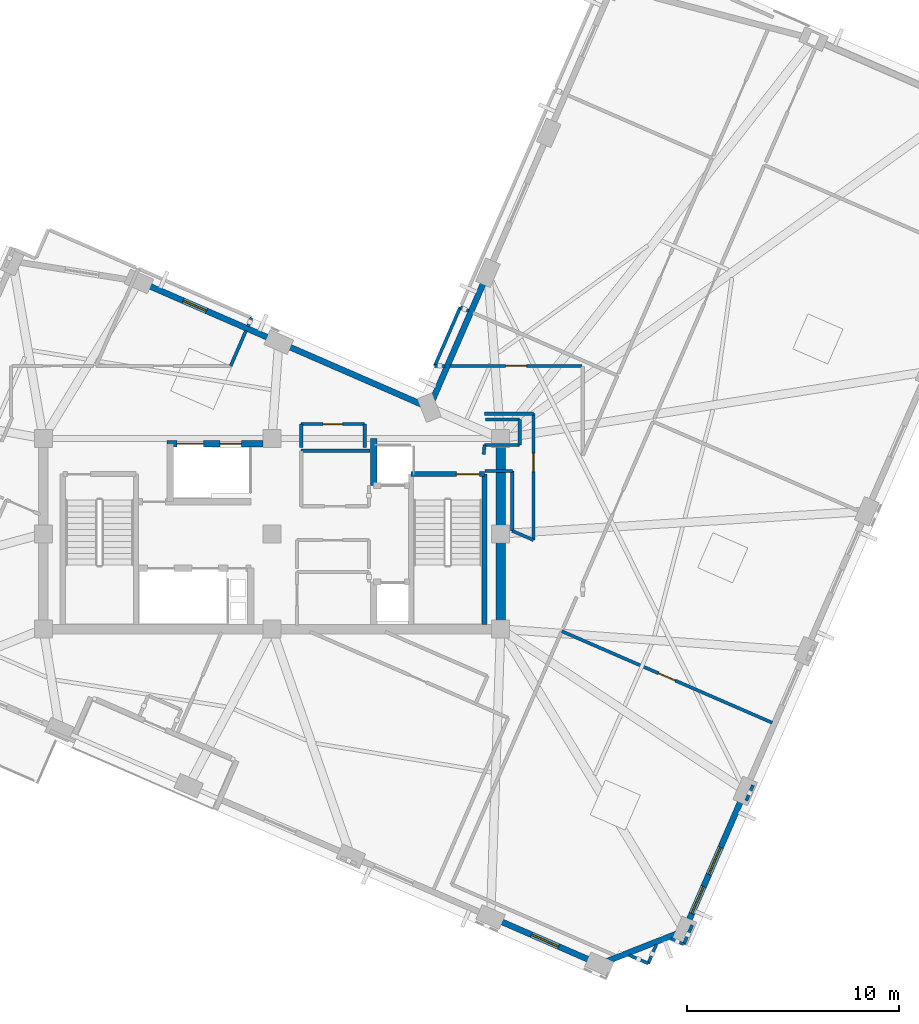
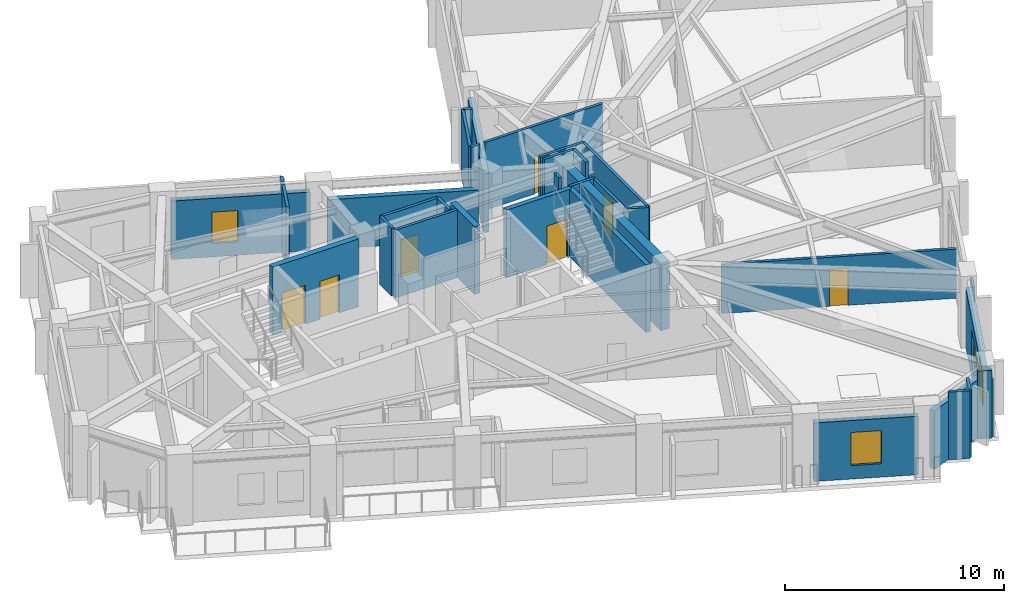
# One storey, part 6 of 12: 36 walls, 7 doors, 4 windows, 11 openings.
"""IFC4 building model written with IfcOpenShell, lengths in metres."""

from ifc_helpers import new_model, si_unit, direction, frame, frame_2d, origin, place, context, subcontext, project, spatial, rectangle, extrude, material, layer, layer_set, type_object, element, fill, save


model = new_model("IFC4")

# Units and contexts
model_context = context("Model", 3, precision=1e-05, world=origin(), true_north=direction((0.0, 1.0)))
body_context = subcontext(model_context, "Body", "Model", "MODEL_VIEW")
ifc_project = project(units=[si_unit("LENGTHUNIT", "METRE"), si_unit("AREAUNIT", "SQUARE_METRE"), si_unit("VOLUMEUNIT", "CUBIC_METRE"), si_unit("PLANEANGLEUNIT", "RADIAN"), si_unit("MASSUNIT", "GRAM", prefix="KILO")], contexts=[model_context])

# Site, building, storey
site_placement = place(None, origin())
site = spatial("IfcSite", under=ifc_project, at=site_placement, CompositionType="ELEMENT")
building_placement = place(site_placement, origin())
building = spatial("IfcBuilding", under=site, at=building_placement, Name="Gaonmaruhae Medical Tower", CompositionType="ELEMENT")
storey_placement = place(building_placement, frame((0.0, 0.0, 316.60009765625)))
storey = spatial("IfcBuildingStorey", under=building, at=storey_placement, Name="L76", CompositionType="ELEMENT", Elevation=316.60009765625)

# Wall
ifc_material_1 = material(Name="Concrete C50/60", Category="concrete")
ifc_layer_1 = layer(ifc_material_1, 0.449951171875)
ifc_layer_set_1 = layer_set([ifc_layer_1], Name="Concrete C50/60")
wall_type_1 = type_object("IfcWallType", Name="CW-450 Upper Core Shear Wall", PredefinedType="SHEAR", material=ifc_layer_set_1)
wall_1_placement = place(storey_placement, frame((35.60009765625, 7.800048828125, 0.0), z_axis=(0.0, 0.0, 1.0), x_axis=(0.0, 1.0, 0.0)))
element("IfcWall", 1, at=wall_1_placement, inside=storey, type_object=wall_type_1, Name="L76 Core Shear Wall CSW-E1", PredefinedType="SHEAR", context=body_context, shape_type="SweptSolid", body=[
    extrude(rectangle(XDim=9.0, YDim=0.449951171875, at=frame_2d((4.5, 0.0))), origin(), (0.0, 0.0, 1.0), 3.77978515625),
])

# Wall, openings, windows
ifc_material_2 = material(Name="Precast concrete C45/55", Category="concrete")
ifc_layer_2 = layer(ifc_material_2, 0.280029296875)
ifc_layer_set_2 = layer_set([ifc_layer_2], Name="Precast concrete C45/55")
wall_type_2 = type_object("IfcWallType", Name="EW-280 Upper Precast Masonry-Frame Facade Wall", PredefinedType="SOLIDWALL", material=ifc_layer_set_2)
wall_2_placement = place(storey_placement, frame((46.987548828125, -0.210205078125, 0.0), z_axis=(0.0, 0.0, 1.0), x_axis=(-0.398744230651, -0.917062178112, 0.0)))
wall_2 = element("IfcWall", 2, at=wall_2_placement, inside=storey, type_object=wall_type_2, Name="L76 Precast Masonry-Frame Wall S01-S02", PredefinedType="SOLIDWALL", context=body_context, shape_type="SweptSolid", body=[
    extrude(rectangle(XDim=6.405029296875, YDim=0.280029296875, at=frame_2d((3.20263671875, 0.0))), origin(), (0.0, 0.0, 1.0), 3.244873046875),
])
opening_1_placement = place(wall_2_placement, frame((2.50244140625, 0.0, 0.75)))
opening_1 = element("IfcOpeningElement", 3, at=opening_1_placement, cuts=wall_2, Name="Opening WN-03", PredefinedType="OPENING", context=body_context, shape_type="SweptSolid", body=[
    extrude(rectangle(XDim=1.39990234375, YDim=1.85009765625, at=frame_2d((0.699951171875, 0.925048828125))), frame((0.0, 0.14990234375, 0.0), z_axis=(0.0, -1.0, 0.0), x_axis=(1.0, 0.0, 0.0)), (0.0, 0.0, 1.0), 0.300048828125),
])
opening_2_placement = place(wall_2_placement, frame((4.5185546875, 0.0, 0.75)))
opening_2 = element("IfcOpeningElement", 4, at=opening_2_placement, cuts=wall_2, Name="Opening WN-03", PredefinedType="OPENING", context=body_context, shape_type="SweptSolid", body=[
    extrude(rectangle(XDim=1.39990234375, YDim=1.85009765625, at=frame_2d((0.699951171875, 0.925048828125))), frame((0.0, 0.14990234375, 0.0), z_axis=(0.0, -1.0, 0.0), x_axis=(1.0, 0.0, 0.0)), (0.0, 0.0, 1.0), 0.300048828125),
])
ifc_material_3 = material(Name="Anodised aluminium and Low-E double glazing", Category="aluminium")
window_type_1 = type_object("IfcWindowType", Name="WN-03 Isolation Ward Punched Window 1400x1850", PartitioningType="SINGLE_PANEL", PredefinedType="WINDOW", material=ifc_material_3)
window_1_placement = place(opening_1_placement, origin())
window_1 = element("IfcWindow", 5, at=window_1_placement, inside=storey, type_object=window_type_1, Name="L76 Modular Facade Window S01", OverallHeight=1.85009765625, OverallWidth=1.39990234375, PartitioningType="SINGLE_PANEL", PredefinedType="WINDOW", context=body_context, shape_type="SweptSolid", body=[
    extrude(rectangle(XDim=1.39990234375, YDim=1.85009765625, at=frame_2d((0.699951171875, 0.925048828125))), frame((0.0, 0.030029296875, 0.0), z_axis=(0.0, -1.0, 0.0), x_axis=(1.0, 0.0, 0.0)), (0.0, 0.0, 1.0), 0.06005859375),
])
fill(opening_1, window_1)
window_2_placement = place(opening_2_placement, origin())
window_2 = element("IfcWindow", 6, at=window_2_placement, inside=storey, type_object=window_type_1, Name="L76 Modular Facade Window S01B", OverallHeight=1.85009765625, OverallWidth=1.39990234375, PartitioningType="SINGLE_PANEL", PredefinedType="WINDOW", context=body_context, shape_type="SweptSolid", body=[
    extrude(rectangle(XDim=1.39990234375, YDim=1.85009765625, at=frame_2d((0.699951171875, 0.925048828125))), frame((0.0, 0.030029296875, 0.0), z_axis=(0.0, -1.0, 0.0), x_axis=(1.0, 0.0, 0.0)), (0.0, 0.0, 1.0), 0.06005859375),
])
fill(opening_2, window_2)

# Walls
wall_3_placement = place(storey_placement, frame((32.384765625, 18.619384765625, 0.0), z_axis=(0.0, 0.0, 1.0), x_axis=(0.398753668733, 0.917058074318, 0.0)))
element("IfcWall", 7, at=wall_3_placement, inside=storey, type_object=wall_type_2, Name="L76 Precast Masonry-Frame Wall EN02-KN01", PredefinedType="SOLIDWALL", context=body_context, shape_type="SweptSolid", body=[
    extrude(rectangle(XDim=6.155029296875, YDim=0.280029296875, at=frame_2d((3.07763671875, 0.0))), origin(), (0.0, 0.0, 1.0), 3.264892578125),
])
wall_4_placement = place(storey_placement, frame((25.483642578125, 21.186767578125, 0.0), z_axis=(0.0, 0.0, 1.0), x_axis=(0.917060568388, -0.398747932794, 0.0)))
element("IfcWall", 8, at=wall_4_placement, inside=storey, type_object=wall_type_2, Name="L76 Precast Masonry-Frame Wall KN01-NE01", PredefinedType="SOLIDWALL", context=body_context, shape_type="SweptSolid", body=[
    extrude(rectangle(XDim=6.954833984375, YDim=0.280029296875, at=frame_2d((3.4775390625, 0.0))), origin(), (0.0, 0.0, 1.0), 2.764892578125),
])

# Wall, opening, window
wall_5_placement = place(storey_placement, frame((18.880859375, 24.0576171875, 0.0), z_axis=(0.0, 0.0, 1.0), x_axis=(0.917070056253, -0.398726111414, 0.0)))
wall_5 = element("IfcWall", 9, at=wall_5_placement, inside=storey, type_object=wall_type_2, Name="L76 Precast Masonry-Frame Wall NE01-NE02", PredefinedType="SOLIDWALL", context=body_context, shape_type="SweptSolid", body=[
    extrude(rectangle(XDim=6.40478515625, YDim=0.280029296875, at=frame_2d((3.202392578125, 0.0))), origin(), (0.0, 0.0, 1.0), 3.264892578125),
])
opening_3_placement = place(wall_5_placement, frame((1.878662109375, 0.0, 0.75)))
opening_3 = element("IfcOpeningElement", 10, at=opening_3_placement, cuts=wall_5, Name="Opening WN-05", PredefinedType="OPENING", context=body_context, shape_type="SweptSolid", body=[
    extrude(rectangle(XDim=1.199951171875, YDim=1.75, at=frame_2d((0.60009765625, 0.875))), frame((0.0, 0.14990234375, 0.0), z_axis=(0.0, -1.0, 0.0), x_axis=(1.0, 0.0, 0.0)), (0.0, 0.0, 1.0), 0.300048828125),
])
window_type_2 = type_object("IfcWindowType", Name="WN-05 Support & Staff Punched Window 1200x1750", PartitioningType="SINGLE_PANEL", PredefinedType="WINDOW", material=ifc_material_3)
window_3_placement = place(opening_3_placement, origin())
window_3 = element("IfcWindow", 11, at=window_3_placement, inside=storey, type_object=window_type_2, Name="L76 Modular Facade Window NE01", OverallHeight=1.75, OverallWidth=1.199951171875, PartitioningType="SINGLE_PANEL", PredefinedType="WINDOW", context=body_context, shape_type="SweptSolid", body=[
    extrude(rectangle(XDim=1.199951171875, YDim=1.75, at=frame_2d((0.60009765625, 0.875))), frame((0.0, 0.030029296875, 0.0), z_axis=(0.0, -1.0, 0.0), x_axis=(1.0, 0.0, 0.0)), (0.0, 0.0, 1.0), 0.06005859375),
])
fill(opening_3, window_3)

wall_6_placement = place(storey_placement, frame((39.897216796875, -7.870849609375, 0.0), z_axis=(0.0, 0.0, 1.0), x_axis=(-0.917050667534, 0.398770702505, 0.0)))
wall_6 = element("IfcWall", 12, at=wall_6_placement, inside=storey, type_object=wall_type_2, Name="L76 Precast Masonry-Frame Wall W05-W06", PredefinedType="SOLIDWALL", context=body_context, shape_type="SweptSolid", body=[
    extrude(rectangle(XDim=4.8046875, YDim=0.280029296875, at=frame_2d((2.40234375, 0.0))), origin(), (0.0, 0.0, 1.0), 3.264892578125),
])
opening_4_placement = place(wall_6_placement, frame((1.702392578125, 0.0, 0.75)))
opening_4 = element("IfcOpeningElement", 13, at=opening_4_placement, cuts=wall_6, Name="Opening WN-03", PredefinedType="OPENING", context=body_context, shape_type="SweptSolid", body=[
    extrude(rectangle(XDim=1.39990234375, YDim=1.85009765625, at=frame_2d((0.699951171875, 0.925048828125))), frame((0.0, 0.14990234375, 0.0), z_axis=(0.0, -1.0, 0.0), x_axis=(1.0, 0.0, 0.0)), (0.0, 0.0, 1.0), 0.300048828125),
])
window_4_placement = place(opening_4_placement, origin())
window_4 = element("IfcWindow", 14, at=window_4_placement, inside=storey, type_object=window_type_1, Name="L76 Modular Facade Window W05", OverallHeight=1.85009765625, OverallWidth=1.39990234375, PartitioningType="SINGLE_PANEL", PredefinedType="WINDOW", context=body_context, shape_type="SweptSolid", body=[
    extrude(rectangle(XDim=1.39990234375, YDim=1.85009765625, at=frame_2d((0.699951171875, 0.925048828125))), frame((0.0, 0.030029296875, 0.0), z_axis=(0.0, -1.0, 0.0), x_axis=(1.0, 0.0, 0.0)), (0.0, 0.0, 1.0), 0.06005859375),
])
fill(opening_4, window_4)

# Walls
wall_7_placement = place(storey_placement, frame((43.9052734375, -6.593994140625, 0.0), z_axis=(0.0, 0.0, 1.0), x_axis=(-0.930406958637, -0.366528158974, 0.0)))
element("IfcWall", 15, at=wall_7_placement, inside=storey, type_object=wall_type_2, Name="L76 Precast Masonry-Frame Wall W06-S01", PredefinedType="SOLIDWALL", context=body_context, shape_type="SweptSolid", body=[
    extrude(rectangle(XDim=3.518310546875, YDim=0.280029296875, at=frame_2d((1.75927734375, 0.0))), origin(), (0.0, 0.0, 1.0), 3.264892578125),
])
ifc_material_4 = material(Name="Gypsum board partition", Category="gypsum")
ifc_layer_3 = layer(ifc_material_4, 0.14990234375)
ifc_layer_set_3 = layer_set([ifc_layer_3], Name="Gypsum board partition")
wall_type_3 = type_object("IfcWallType", Name="PW-150 Rated Clinical Corridor Partition", PredefinedType="PARTITIONING", material=ifc_layer_set_3)
wall_8_placement = place(storey_placement, frame((26.179931640625, 16.219970703125, 0.0), z_axis=(0.0, 0.0, 1.0), x_axis=(1.0, 0.0, 0.0)))
element("IfcWall", 16, at=wall_8_placement, inside=storey, type_object=wall_type_3, Name="L76 Interior Partition L76-RCL2-8", PredefinedType="PARTITIONING", context=body_context, shape_type="SweptSolid", body=[
    extrude(rectangle(XDim=3.260009765625, YDim=0.14990234375, at=frame_2d((1.6298828125, 0.0))), origin(), (0.0, 0.0, 1.0), 3.77978515625),
])
wall_9_placement = place(storey_placement, frame((26.179931640625, 16.3798828125, 0.0), z_axis=(0.0, 0.0, 1.0), x_axis=(0.0, 1.0, 0.0)))
element("IfcWall", 17, at=wall_9_placement, inside=storey, type_object=wall_type_3, Name="L76 Interior Partition L76-CS2-11", PredefinedType="PARTITIONING", context=body_context, shape_type="SweptSolid", body=[
    extrude(rectangle(XDim=1.10009765625, YDim=0.14990234375, at=frame_2d((0.550048828125, 0.0))), origin(), (0.0, 0.0, 1.0), 3.77978515625),
])

# Wall, opening, door
wall_10_placement = place(storey_placement, frame((26.179931640625, 17.47998046875, 0.0), z_axis=(0.0, 0.0, 1.0), x_axis=(1.0, 0.0, 0.0)))
wall_10 = element("IfcWall", 18, at=wall_10_placement, inside=storey, type_object=wall_type_3, Name="L76 Interior Partition L76-CS2-12", PredefinedType="PARTITIONING", context=body_context, shape_type="SweptSolid", body=[
    extrude(rectangle(XDim=3.0, YDim=0.14990234375, at=frame_2d((1.5, 0.0))), origin(), (0.0, 0.0, 1.0), 3.77978515625),
])
opening_5_placement = place(wall_10_placement, frame((1.0400390625, 0.0, 0.0)))
opening_5 = element("IfcOpeningElement", 19, at=opening_5_placement, cuts=wall_10, Name="Opening UD-01", PredefinedType="OPENING", context=body_context, shape_type="SweptSolid", body=[
    extrude(rectangle(XDim=0.919921875, YDim=2.10009765625, at=frame_2d((0.4599609375, 1.050048828125))), frame((0.0, 0.0849609375, 0.0), z_axis=(0.0, -1.0, 0.0), x_axis=(1.0, 0.0, 0.0)), (0.0, 0.0, 1.0), 0.169921875),
])
ifc_material_5 = material(Name="Powder-coated steel utility door", Category="steel")
door_type_1 = type_object("IfcDoorType", Name="UD-01 Toilet, Utility & Housekeeping Door 920x2100", OperationType="NOTDEFINED", PredefinedType="DOOR", material=ifc_material_5)
door_1_placement = place(opening_5_placement, origin())
door_1 = element("IfcDoor", 20, at=door_1_placement, inside=storey, type_object=door_type_1, Name="L76 Biomedical Telemetry Closet Door", OperationType="SINGLE_SWING_LEFT", OverallHeight=2.10009765625, OverallWidth=0.919921875, PredefinedType="DOOR", context=body_context, shape_type="SweptSolid", body=[
    extrude(rectangle(XDim=0.919921875, YDim=2.10009765625, at=frame_2d((0.4599609375, 1.050048828125))), frame((0.0, 0.02490234375, 0.0), z_axis=(0.0, -1.0, 0.0), x_axis=(1.0, 0.0, 0.0)), (0.0, 0.0, 1.0), 0.050048828125),
])
fill(opening_5, door_1)

# Walls
wall_11_placement = place(storey_placement, frame((29.179931640625, 17.47998046875, 0.0), z_axis=(0.0, 0.0, 1.0), x_axis=(0.0, -1.0, 0.0)))
element("IfcWall", 21, at=wall_11_placement, inside=storey, type_object=wall_type_3, Name="L76 Interior Partition L76-CS2-13", PredefinedType="PARTITIONING", context=body_context, shape_type="SweptSolid", body=[
    extrude(rectangle(XDim=1.10009765625, YDim=0.14990234375, at=frame_2d((0.550048828125, 0.0))), origin(), (0.0, 0.0, 1.0), 3.77978515625),
])
wall_12_placement = place(storey_placement, frame((42.56689453125, -7.9951171875, 0.0), z_axis=(0.0, 0.0, 1.0), x_axis=(-0.917188054541, 0.398454605454, 0.0)))
element("IfcWall", 22, at=wall_12_placement, inside=storey, type_object=wall_type_3, Name="L76 Interior Partition L76-SUP01-14", PredefinedType="PARTITIONING", context=body_context, shape_type="SweptSolid", body=[
    extrude(rectangle(XDim=0.986572265625, YDim=0.14990234375, at=frame_2d((0.4931640625, 0.0))), origin(), (0.0, 0.0, 1.0), 3.77978515625),
])

# Wall, opening, door
wall_13_placement = place(storey_placement, frame((38.486083984375, 7.697998046875, 0.0), z_axis=(0.0, 0.0, 1.0), x_axis=(0.917068265028, -0.398730231207, 0.0)))
wall_13 = element("IfcWall", 23, at=wall_13_placement, inside=storey, type_object=wall_type_3, Name="L76 Interior Partition L76-SUP01-17", PredefinedType="PARTITIONING", context=body_context, shape_type="SweptSolid", body=[
    extrude(rectangle(XDim=10.83447265625, YDim=0.14990234375, at=frame_2d((5.417236328125, 0.0))), origin(), (0.0, 0.0, 1.0), 2.744873046875),
])
opening_6_placement = place(wall_13_placement, frame((4.9873046875, 0.0, 0.0)))
opening_6 = element("IfcOpeningElement", 24, at=opening_6_placement, cuts=wall_13, Name="Opening AD-01", PredefinedType="OPENING", context=body_context, shape_type="SweptSolid", body=[
    extrude(rectangle(XDim=0.860107421875, YDim=2.06005859375, at=frame_2d((0.43017578125, 1.030029296875))), frame((0.0, 0.0849609375, 0.0), z_axis=(0.0, -1.0, 0.0), x_axis=(1.0, 0.0, 0.0)), (0.0, 0.0, 1.0), 0.169921875),
])
ifc_material_6 = material(Name="Powder-coated steel access door", Category="steel")
door_type_2 = type_object("IfcDoorType", Name="AD-01 Riser & Closet Access Fire Door 860x2060", OperationType="NOTDEFINED", PredefinedType="DOOR", material=ifc_material_6)
door_2_placement = place(opening_6_placement, origin())
door_2 = element("IfcDoor", 25, at=door_2_placement, inside=storey, type_object=door_type_2, Name="L76 Clinical Biomedical Charting Office Sliding Door", OperationType="SLIDING_TO_LEFT", OverallHeight=2.06005859375, OverallWidth=0.860107421875, PredefinedType="DOOR", context=body_context, shape_type="SweptSolid", body=[
    extrude(rectangle(XDim=0.860107421875, YDim=2.06005859375, at=frame_2d((0.43017578125, 1.030029296875))), frame((0.0, 0.02490234375, 0.0), z_axis=(0.0, -1.0, 0.0), x_axis=(1.0, 0.0, 0.0)), (0.0, 0.0, 1.0), 0.050048828125),
])
fill(opening_6, door_2)

# Walls
wall_14_placement = place(storey_placement, frame((47.51611328125, 0.427001953125, 0.0), z_axis=(0.0, 0.0, 1.0), x_axis=(-0.398916999953, -0.916987037612, 0.0)))
element("IfcWall", 26, at=wall_14_placement, inside=storey, type_object=wall_type_3, Name="L76 Interior Partition L76-SUP01-18", PredefinedType="PARTITIONING", context=body_context, shape_type="SweptSolid", body=[
    extrude(rectangle(XDim=0.794921875, YDim=0.14990234375, at=frame_2d((0.3974609375, 0.0))), origin(), (0.0, 0.0, 1.0), 3.244873046875),
])
wall_15_placement = place(storey_placement, frame((44.64501953125, -6.176025390625, 0.0), z_axis=(0.0, 0.0, 1.0), x_axis=(-0.399173799485, -0.916875279307, 0.0)))
element("IfcWall", 27, at=wall_15_placement, inside=storey, type_object=wall_type_3, Name="L76 Interior Partition L76-SUP01-19", PredefinedType="PARTITIONING", context=body_context, shape_type="SweptSolid", body=[
    extrude(rectangle(XDim=0.996826171875, YDim=0.14990234375, at=frame_2d((0.49853515625, 0.0))), origin(), (0.0, 0.0, 1.0), 3.264892578125),
])
wall_16_placement = place(storey_placement, frame((44.2470703125, -7.090087890625, 0.0), z_axis=(0.0, 0.0, 1.0), x_axis=(-0.917070056253, 0.398726111414, 0.0)))
element("IfcWall", 28, at=wall_16_placement, inside=storey, type_object=wall_type_3, Name="L76 Interior Partition L76-SUP01-20", PredefinedType="PARTITIONING", context=body_context, shape_type="SweptSolid", body=[
    extrude(rectangle(XDim=0.66748046875, YDim=0.14990234375, at=frame_2d((0.333740234375, 0.0))), origin(), (0.0, 0.0, 1.0), 3.77978515625),
])
wall_17_placement = place(storey_placement, frame((42.9609375, -7.090087890625, 0.0), z_axis=(0.0, 0.0, 1.0), x_axis=(-0.399196346623, -0.916865462782, 0.0)))
element("IfcWall", 29, at=wall_17_placement, inside=storey, type_object=wall_type_3, Name="L76 Interior Partition L76-SUP01-21", PredefinedType="PARTITIONING", context=body_context, shape_type="SweptSolid", body=[
    extrude(rectangle(XDim=0.987060546875, YDim=0.14990234375, at=frame_2d((0.49365234375, 0.0))), origin(), (0.0, 0.0, 1.0), 3.77978515625),
])

# Wall, opening, door
wall_18_placement = place(storey_placement, frame((39.449951171875, 20.22998046875, 0.0), z_axis=(0.0, 0.0, 1.0), x_axis=(-1.0, 0.0, 0.0)))
wall_18 = element("IfcWall", 30, at=wall_18_placement, inside=storey, type_object=wall_type_3, Name="L76 Interior Partition L76-IE01-58", PredefinedType="PARTITIONING", context=body_context, shape_type="SweptSolid", body=[
    extrude(rectangle(XDim=6.239990234375, YDim=0.14990234375, at=frame_2d((3.1201171875, 0.0))), origin(), (0.0, 0.0, 1.0), 3.77978515625),
])
opening_7_placement = place(wall_18_placement, frame((2.6201171875, 0.0, 0.0)))
opening_7 = element("IfcOpeningElement", 31, at=opening_7_placement, cuts=wall_18, Name="Opening CD-01", PredefinedType="OPENING", context=body_context, shape_type="SweptSolid", body=[
    extrude(rectangle(XDim=1.0, YDim=2.1201171875, at=frame_2d((0.5, 1.06005859375))), frame((0.0, 0.0849609375, 0.0), z_axis=(0.0, -1.0, 0.0), x_axis=(1.0, 0.0, 0.0)), (0.0, 0.0, 1.0), 0.169921875),
])
ifc_material_7 = material(Name="Antimicrobial laminate timber fire door", Category="wood")
door_type_3 = type_object("IfcDoorType", Name="CD-01 Consultation & Physician Office Door 1000x2120", OperationType="NOTDEFINED", PredefinedType="DOOR", material=ifc_material_7)
door_3_placement = place(opening_7_placement, origin())
door_3 = element("IfcDoor", 32, at=door_3_placement, inside=storey, type_object=door_type_3, Name="L76 Central Clinical Nurse Station Door", OperationType="SINGLE_SWING_RIGHT", OverallHeight=2.1201171875, OverallWidth=1.0, PredefinedType="DOOR", context=body_context, shape_type="SweptSolid", body=[
    extrude(rectangle(XDim=1.0, YDim=2.1201171875, at=frame_2d((0.5, 1.06005859375))), frame((0.0, 0.02490234375, 0.0), z_axis=(0.0, -1.0, 0.0), x_axis=(1.0, 0.0, 0.0)), (0.0, 0.0, 1.0), 0.050048828125),
])
fill(opening_7, door_3)

# Walls
wall_19_placement = place(storey_placement, frame((32.9599609375, 20.22998046875, 0.0), z_axis=(0.0, 0.0, 1.0), x_axis=(-1.0, 0.0, 0.0)))
element("IfcWall", 33, at=wall_19_placement, inside=storey, type_object=wall_type_3, Name="L76 Interior Partition L76-IE01-59", PredefinedType="PARTITIONING", context=body_context, shape_type="SweptSolid", body=[
    extrude(rectangle(XDim=0.474853515625, YDim=0.14990234375, at=frame_2d((0.2373046875, 0.0))), origin(), (0.0, 0.0, 1.0), 3.77978515625),
])
wall_20_placement = place(storey_placement, frame((32.485107421875, 20.22998046875, 0.0), z_axis=(0.0, 0.0, 1.0), x_axis=(0.398823706297, 0.917027617521, 0.0)))
element("IfcWall", 34, at=wall_20_placement, inside=storey, type_object=wall_type_3, Name="L76 Interior Partition L76-IE01-60", PredefinedType="PARTITIONING", context=body_context, shape_type="SweptSolid", body=[
    extrude(rectangle(XDim=3.0185546875, YDim=0.14990234375, at=frame_2d((1.50927734375, 0.0))), origin(), (0.0, 0.0, 1.0), 3.77978515625),
])
wall_21_placement = place(storey_placement, frame((33.68896484375, 22.998046875, 0.0), z_axis=(0.0, 0.0, 1.0), x_axis=(0.91736435201, -0.398048546864, 0.0)))
element("IfcWall", 35, at=wall_21_placement, inside=storey, type_object=wall_type_3, Name="L76 Interior Partition L76-IE01-61", PredefinedType="PARTITIONING", context=body_context, shape_type="SweptSolid", body=[
    extrude(rectangle(XDim=0.434814453125, YDim=0.14990234375, at=frame_2d((0.21728515625, 0.0))), origin(), (0.0, 0.0, 1.0), 3.77978515625),
])
wall_22_placement = place(storey_placement, frame((23.839111328125, 22.501953125, 0.0), z_axis=(0.0, 0.0, 1.0), x_axis=(-0.399935888769, -0.916543116757, 0.0)))
element("IfcWall", 36, at=wall_22_placement, inside=storey, type_object=wall_type_3, Name="L76 Interior Partition L76-IN02-77", PredefinedType="PARTITIONING", context=body_context, shape_type="SweptSolid", body=[
    extrude(rectangle(XDim=0.435302734375, YDim=0.14990234375, at=frame_2d((0.2177734375, 0.0))), origin(), (0.0, 0.0, 1.0), 3.77978515625),
])
wall_23_placement = place(storey_placement, frame((23.573974609375, 21.89208984375, 0.0), z_axis=(0.0, 0.0, 1.0), x_axis=(-0.398839391352, -0.917020795787, 0.0)))
element("IfcWall", 37, at=wall_23_placement, inside=storey, type_object=wall_type_3, Name="L76 Interior Partition L76-IN02-78", PredefinedType="PARTITIONING", context=body_context, shape_type="SweptSolid", body=[
    extrude(rectangle(XDim=1.8125, YDim=0.14990234375, at=frame_2d((0.90625, 0.0))), origin(), (0.0, 0.0, 1.0), 3.77978515625),
])
wall_24_placement = place(storey_placement, frame((34.798095703125, 16.050048828125, 0.0), z_axis=(0.0, 0.0, 1.0), x_axis=(0.090779345207, 0.99587103105, 0.0)))
element("IfcWall", 38, at=wall_24_placement, inside=storey, type_object=wall_type_3, Name="L76 Interior Partition L76-RM03-92", PredefinedType="PARTITIONING", context=body_context, shape_type="SweptSolid", body=[
    extrude(rectangle(XDim=0.451904296875, YDim=0.14990234375, at=frame_2d((0.22607421875, 0.0))), origin(), (0.0, 0.0, 1.0), 3.77978515625),
])
wall_25_placement = place(storey_placement, frame((34.839111328125, 16.5, 0.0), z_axis=(0.0, 0.0, 1.0), x_axis=(1.0, 0.0, 0.0)))
element("IfcWall", 39, at=wall_25_placement, inside=storey, type_object=wall_type_3, Name="L76 Interior Partition L76-RM03-93", PredefinedType="PARTITIONING", context=body_context, shape_type="SweptSolid", body=[
    extrude(rectangle(XDim=1.660888671875, YDim=0.14990234375, at=frame_2d((0.83056640625, 0.0))), origin(), (0.0, 0.0, 1.0), 2.764892578125),
])
wall_26_placement = place(storey_placement, frame((36.5, 16.5, 0.0), z_axis=(0.0, 0.0, 1.0), x_axis=(0.0, 1.0, 0.0)))
element("IfcWall", 40, at=wall_26_placement, inside=storey, type_object=wall_type_3, Name="L76 Interior Partition L76-RM03-94", PredefinedType="PARTITIONING", context=body_context, shape_type="SweptSolid", body=[
    extrude(rectangle(XDim=1.199951171875, YDim=0.14990234375, at=frame_2d((0.60009765625, 0.0))), origin(), (0.0, 0.0, 1.0), 3.77978515625),
])
wall_27_placement = place(storey_placement, frame((36.5, 17.699951171875, 0.0), z_axis=(0.0, 0.0, 1.0), x_axis=(-1.0, 0.0, 0.0)))
element("IfcWall", 41, at=wall_27_placement, inside=storey, type_object=wall_type_3, Name="L76 Interior Partition L76-RM03-95", PredefinedType="PARTITIONING", context=body_context, shape_type="SweptSolid", body=[
    extrude(rectangle(XDim=1.610107421875, YDim=0.14990234375, at=frame_2d((0.80517578125, 0.0))), origin(), (0.0, 0.0, 1.0), 3.77978515625),
])
wall_28_placement = place(storey_placement, frame((34.837890625, 17.969970703125, 0.0), z_axis=(0.0, 0.0, 1.0), x_axis=(1.0, 0.0, 0.0)))
element("IfcWall", 42, at=wall_28_placement, inside=storey, type_object=wall_type_3, Name="L76 Interior Partition L76-RM03-96", PredefinedType="PARTITIONING", context=body_context, shape_type="SweptSolid", body=[
    extrude(rectangle(XDim=2.31201171875, YDim=0.14990234375, at=frame_2d((1.156005859375, 0.0))), origin(), (0.0, 0.0, 1.0), 3.77978515625),
])

# Wall, opening, door
wall_29_placement = place(storey_placement, frame((37.14990234375, 17.969970703125, 0.0), z_axis=(0.0, 0.0, 1.0), x_axis=(0.0, -1.0, 0.0)))
wall_29 = element("IfcWall", 43, at=wall_29_placement, inside=storey, type_object=wall_type_3, Name="L76 Interior Partition L76-RM03-97", PredefinedType="PARTITIONING", context=body_context, shape_type="SweptSolid", body=[
    extrude(rectangle(XDim=5.967041015625, YDim=0.14990234375, at=frame_2d((2.9833984375, 0.0))), origin(), (0.0, 0.0, 1.0), 3.77978515625),
])
opening_8_placement = place(wall_29_placement, frame((1.871337890625, 0.0, 0.0)))
opening_8 = element("IfcOpeningElement", 44, at=opening_8_placement, cuts=wall_29, Name="Opening AD-01", PredefinedType="OPENING", context=body_context, shape_type="SweptSolid", body=[
    extrude(rectangle(XDim=0.860107421875, YDim=2.06005859375, at=frame_2d((0.43017578125, 1.030029296875))), frame((0.0, 0.0849609375, 0.0), z_axis=(0.0, -1.0, 0.0), x_axis=(1.0, 0.0, 0.0)), (0.0, 0.0, 1.0), 0.169921875),
])
door_4_placement = place(opening_8_placement, origin())
door_4 = element("IfcDoor", 45, at=door_4_placement, inside=storey, type_object=door_type_2, Name="L76 Biomedical Mobile Equipment Bay Sliding Door", OperationType="SLIDING_TO_LEFT", OverallHeight=2.06005859375, OverallWidth=0.860107421875, PredefinedType="DOOR", context=body_context, shape_type="SweptSolid", body=[
    extrude(rectangle(XDim=0.860107421875, YDim=2.06005859375, at=frame_2d((0.43017578125, 1.030029296875))), frame((0.0, 0.02490234375, 0.0), z_axis=(0.0, -1.0, 0.0), x_axis=(1.0, 0.0, 0.0)), (0.0, 0.0, 1.0), 0.050048828125),
])
fill(opening_8, door_4)

# Walls
wall_30_placement = place(storey_placement, frame((37.14990234375, 12.0029296875, 0.0), z_axis=(0.0, 0.0, 1.0), x_axis=(-0.916977493273, 0.398938938724, 0.0)))
element("IfcWall", 46, at=wall_30_placement, inside=storey, type_object=wall_type_3, Name="L76 Interior Partition L76-RM03-98", PredefinedType="PARTITIONING", context=body_context, shape_type="SweptSolid", body=[
    extrude(rectangle(XDim=1.090576171875, YDim=0.14990234375, at=frame_2d((0.54541015625, 0.0))), origin(), (0.0, 0.0, 1.0), 3.77978515625),
])
wall_31_placement = place(storey_placement, frame((36.14990234375, 12.43798828125, 0.0), z_axis=(0.0, 0.0, 1.0), x_axis=(0.0, 1.0, 0.0)))
element("IfcWall", 47, at=wall_31_placement, inside=storey, type_object=wall_type_3, Name="L76 Interior Partition L76-RM03-99", PredefinedType="PARTITIONING", context=body_context, shape_type="SweptSolid", body=[
    extrude(rectangle(XDim=2.822021484375, YDim=0.14990234375, at=frame_2d((1.4111328125, 0.0))), origin(), (0.0, 0.0, 1.0), 3.77978515625),
])
wall_32_placement = place(storey_placement, frame((36.14990234375, 15.260009765625, 0.0), z_axis=(0.0, 0.0, 1.0), x_axis=(-1.0, 0.0, 0.0)))
element("IfcWall", 48, at=wall_32_placement, inside=storey, type_object=wall_type_3, Name="L76 Interior Partition L76-RM03-100", PredefinedType="PARTITIONING", context=body_context, shape_type="SweptSolid", body=[
    extrude(rectangle(XDim=1.2998046875, YDim=0.14990234375, at=frame_2d((0.64990234375, 0.0))), origin(), (0.0, 0.0, 1.0), 3.77978515625),
])

# Wall, opening, door
ifc_layer_4 = layer(ifc_material_1, 0.239990234375)
ifc_layer_set_4 = layer_set([ifc_layer_4], Name="Concrete C50/60")
wall_type_4 = type_object("IfcWallType", Name="SW-240 Dogleg Stair Tight Shaft Wall", PredefinedType="SOLIDWALL", material=ifc_layer_set_4)
wall_33_placement = place(storey_placement, frame((31.3701171875, 15.1201171875, 0.0), z_axis=(0.0, 0.0, 1.0), x_axis=(1.0, 0.0, 0.0)))
wall_33 = element("IfcWall", 49, at=wall_33_placement, inside=storey, type_object=wall_type_4, Name="L76 ST-02 Stair Shaft Wall SHW-ST-02-N", PredefinedType="SOLIDWALL", context=body_context, shape_type="SweptSolid", body=[
    extrude(rectangle(XDim=3.4599609375, YDim=0.239990234375, at=frame_2d((1.72998046875, 0.0))), origin(), (0.0, 0.0, 1.0), 3.77978515625),
])
opening_9_placement = place(wall_33_placement, frame((2.139892578125, 0.0, 0.0)))
opening_9 = element("IfcOpeningElement", 50, at=opening_9_placement, cuts=wall_33, Name="Opening FD-01", PredefinedType="OPENING", context=body_context, shape_type="SweptSolid", body=[
    extrude(rectangle(XDim=1.10009765625, YDim=2.14990234375, at=frame_2d((0.550048828125, 1.074951171875))), frame((0.0, 0.1298828125, 0.0), z_axis=(0.0, -1.0, 0.0), x_axis=(1.0, 0.0, 0.0)), (0.0, 0.0, 1.0), 0.260009765625),
])
ifc_material_8 = material(Name="Powder-coated steel fire door", Category="steel")
door_type_4 = type_object("IfcDoorType", Name="FD-01 Escape Stair Protected Fire Door 1100x2150", OperationType="NOTDEFINED", PredefinedType="DOOR", material=ifc_material_8)
door_5_placement = place(opening_9_placement, origin())
door_5 = element("IfcDoor", 51, at=door_5_placement, inside=storey, type_object=door_type_4, Name="L76 ST-02 Protected Escape Stair Door", OperationType="SINGLE_SWING_LEFT", OverallHeight=2.14990234375, OverallWidth=1.10009765625, PredefinedType="DOOR", context=body_context, shape_type="SweptSolid", body=[
    extrude(rectangle(XDim=1.10009765625, YDim=2.14990234375, at=frame_2d((0.550048828125, 1.074951171875))), frame((0.0, 0.02490234375, 0.0), z_axis=(0.0, -1.0, 0.0), x_axis=(1.0, 0.0, 0.0)), (0.0, 0.0, 1.0), 0.050048828125),
])
fill(opening_9, door_5)

# Wall
wall_34_placement = place(storey_placement, frame((34.830078125, 15.1201171875, 0.0), z_axis=(0.0, 0.0, 1.0), x_axis=(0.0, -1.0, 0.0)))
element("IfcWall", 52, at=wall_34_placement, inside=storey, type_object=wall_type_4, Name="L76 ST-02 Stair Shaft Wall SHW-ST-02-E", PredefinedType="SOLIDWALL", context=body_context, shape_type="SweptSolid", body=[
    extrude(rectangle(XDim=7.09521484375, YDim=0.239990234375, at=frame_2d((3.547607421875, 0.0))), origin(), (0.0, 0.0, 1.0), 3.77978515625),
])

# Wall, openings, doors
ifc_layer_5 = layer(ifc_material_1, 0.300048828125)
ifc_layer_set_5 = layer_set([ifc_layer_5], Name="Concrete C50/60")
wall_type_5 = type_object("IfcWallType", Name="SW-300 Stair & Lift Hoistway Shaft Wall", PredefinedType="SOLIDWALL", material=ifc_layer_set_5)
wall_35_placement = place(storey_placement, frame((19.85009765625, 16.550048828125, 0.0), z_axis=(0.0, 0.0, 1.0), x_axis=(1.0, 0.0, 0.0)))
wall_35 = element("IfcWall", 53, at=wall_35_placement, inside=storey, type_object=wall_type_5, Name="L76 Core Shear Wall CSW-NB", PredefinedType="SOLIDWALL", context=body_context, shape_type="SweptSolid", body=[
    extrude(rectangle(XDim=4.52490234375, YDim=0.300048828125, at=frame_2d((2.262451171875, 0.0))), origin(), (0.0, 0.0, 1.0), 3.77978515625),
])
opening_10_placement = place(wall_35_placement, frame((0.47509765625, 0.0, 0.0)))
opening_10 = element("IfcOpeningElement", 54, at=opening_10_placement, cuts=wall_35, Name="Opening LD-F1", PredefinedType="OPENING", context=body_context, shape_type="SweptSolid", body=[
    extrude(rectangle(XDim=1.25, YDim=2.179931640625, at=frame_2d((0.625, 1.08984375))), frame((0.0, 0.16015625, 0.0), z_axis=(0.0, -1.0, 0.0), x_axis=(1.0, 0.0, 0.0)), (0.0, 0.0, 1.0), 0.320068359375),
])
opening_11_placement = place(wall_35_placement, frame((2.489990234375, 0.0, 0.0)))
opening_11 = element("IfcOpeningElement", 55, at=opening_11_placement, cuts=wall_35, Name="Opening LD-S1", PredefinedType="OPENING", context=body_context, shape_type="SweptSolid", body=[
    extrude(rectangle(XDim=1.02001953125, YDim=2.1201171875, at=frame_2d((0.510009765625, 1.06005859375))), frame((0.0, 0.16015625, 0.0), z_axis=(0.0, -1.0, 0.0), x_axis=(1.0, 0.0, 0.0)), (0.0, 0.0, 1.0), 0.320068359375),
])
ifc_material_9 = material(Name="Brushed stainless steel 316L landing door", Category="steel")
door_type_5 = type_object("IfcDoorType", Name="LD-F1 Firefighting & Bed Lift Sliding Landing Door 1250x2180", OperationType="NOTDEFINED", PredefinedType="DOOR", material=ifc_material_9)
door_6_placement = place(opening_10_placement, origin())
door_6 = element("IfcDoor", 56, at=door_6_placement, inside=storey, type_object=door_type_5, Name="L76 Service/Bed Lift Landing Door BDL-01", OperationType="DOUBLE_DOOR_SLIDING", OverallHeight=2.179931640625, OverallWidth=1.25, PredefinedType="DOOR", context=body_context, shape_type="SweptSolid", body=[
    extrude(rectangle(XDim=1.25, YDim=2.179931640625, at=frame_2d((0.625, 1.08984375))), frame((0.0, 0.02490234375, 0.0), z_axis=(0.0, -1.0, 0.0), x_axis=(1.0, 0.0, 0.0)), (0.0, 0.0, 1.0), 0.050048828125),
])
fill(opening_10, door_6)
ifc_material_10 = material(Name="Brushed stainless steel 304 landing door", Category="steel")
door_type_6 = type_object("IfcDoorType", Name="LD-S1 Service Lift Sliding Landing Door 1020x2120", OperationType="NOTDEFINED", PredefinedType="DOOR", material=ifc_material_10)
door_7_placement = place(opening_11_placement, origin())
door_7 = element("IfcDoor", 57, at=door_7_placement, inside=storey, type_object=door_type_6, Name="L76 Service/Bed Lift Landing Door SVL-01", OperationType="SLIDING_TO_LEFT", OverallHeight=2.1201171875, OverallWidth=1.02001953125, PredefinedType="DOOR", context=body_context, shape_type="SweptSolid", body=[
    extrude(rectangle(XDim=1.02001953125, YDim=2.1201171875, at=frame_2d((0.510009765625, 1.06005859375))), frame((0.0, 0.02490234375, 0.0), z_axis=(0.0, -1.0, 0.0), x_axis=(1.0, 0.0, 0.0)), (0.0, 0.0, 1.0), 0.050048828125),
])
fill(opening_11, door_7)

# Wall
wall_36_placement = place(storey_placement, frame((29.60009765625, 14.580078125, 0.0), z_axis=(0.0, 0.0, 1.0), x_axis=(0.0, 1.0, 0.0)))
element("IfcWall", 58, at=wall_36_placement, inside=storey, type_object=wall_type_5, Name="L76 Shaft Enclosure Wall SHW-PLD2", PredefinedType="SOLIDWALL", context=body_context, shape_type="SweptSolid", body=[
    extrude(rectangle(XDim=2.219970703125, YDim=0.300048828125, at=frame_2d((1.10986328125, 0.0))), origin(), (0.0, 0.0, 1.0), 3.77978515625),
])

save(model, "model.ifc")
